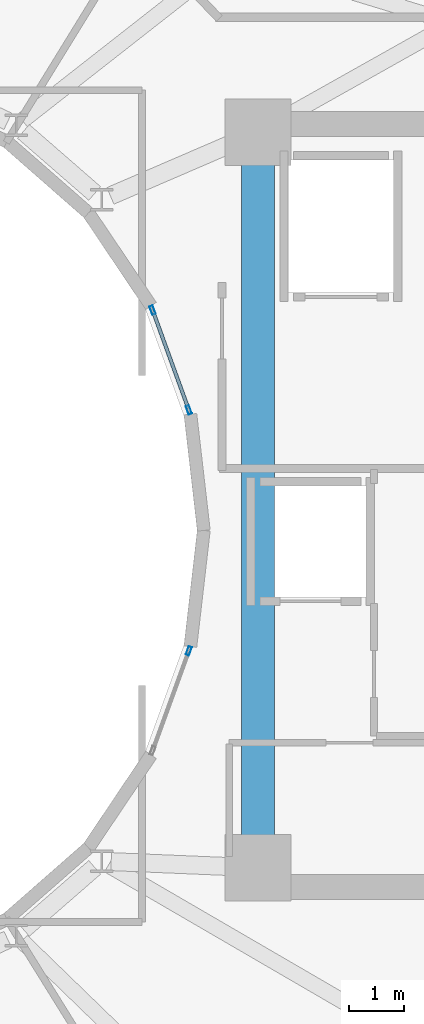
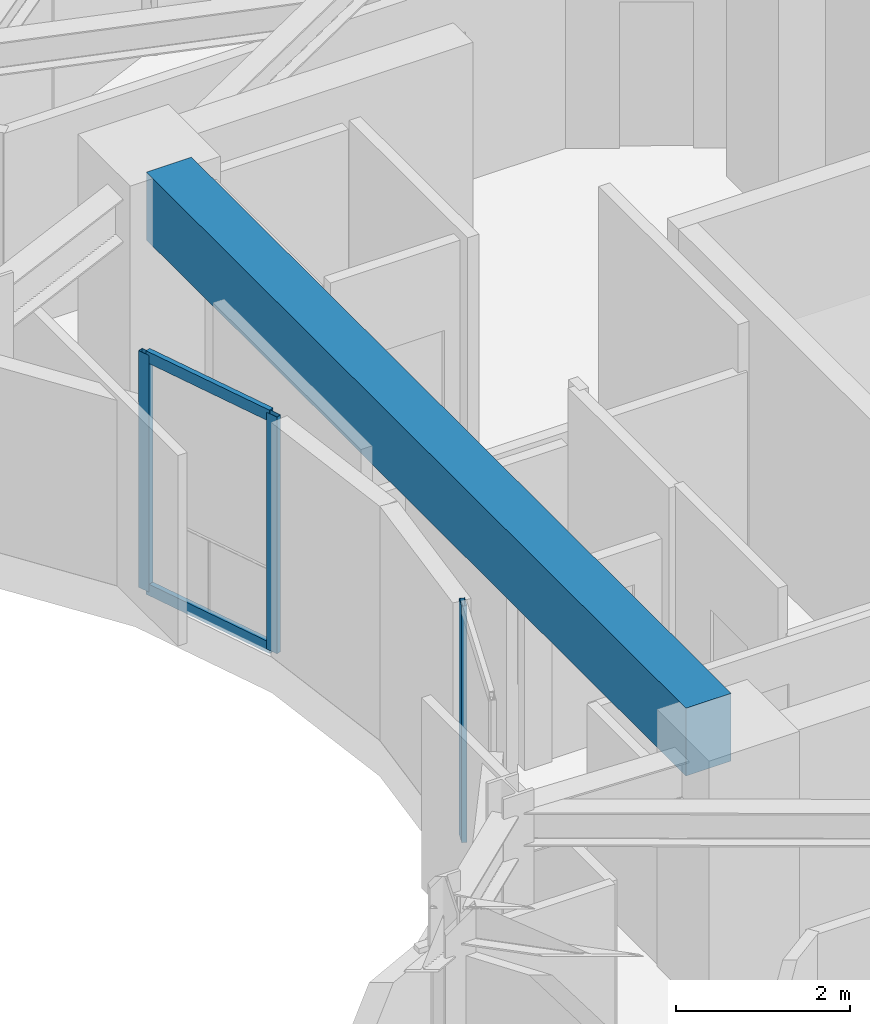
# One storey, part 9 of 25: 5 members, 1 beam, 2 elements without a shape of their own.
"""IFC4 building model written with IfcOpenShell, lengths in metres."""

import ifcopenshell
import ifcopenshell.guid

model = None  # the IFC model being written
_history = None  # IfcOwnerHistory: only IFC2X3 demands one
_inside = {}  # id of a spatial element -> (the spatial element, [elements in it])
_under = {}  # id of a project, library or spatial element -> (it, [spatial elements below it])
_declared = {}  # id of a project -> (the project, [libraries it declares])
_typed = {}  # id of a type object -> (the type object, [elements of that type])
_made_of = {}  # id of a material, layer set ... -> (it, [elements and type objects made of it])


def new_model(schema):
    """Start an empty IFC model of exactly this schema.

    Asked for "IFC4X3", IfcOpenShell would pick the latest addendum, in which some entities
    have other attributes; the version numbers below select the first issue.
    IFC2X3 requires an IfcOwnerHistory on every rooted entity: one is made here for all.
    """
    global model, _history
    if schema == "IFC4X3":
        model = ifcopenshell.file(schema_version=(4, 3, 0, 0))
    else:
        model = ifcopenshell.file(schema=schema)
    _inside.clear()
    _under.clear()
    _declared.clear()
    _typed.clear()
    _made_of.clear()
    _history = None
    if model.schema == "IFC2X3":
        org = make("IfcOrganization", Name="unknown")
        user = make(
            "IfcPersonAndOrganization",
            ThePerson=make("IfcPerson", FamilyName="unknown"),
            TheOrganization=org,
        )
        app = make(
            "IfcApplication",
            ApplicationDeveloper=org,
            Version="unknown",
            ApplicationFullName="unknown",
            ApplicationIdentifier="unknown",
        )
        _history = make(
            "IfcOwnerHistory",
            OwningUser=user,
            OwningApplication=app,
            ChangeAction="ADDED",
            CreationDate=0,
        )
    return model


def make(cls, **values):
    """One entity of the class cls with the attributes given. An attribute that is None is left unset."""
    return model.create_entity(
        cls, **{name: value for name, value in values.items() if value is not None}
    )


def rooted(cls, **values):
    """An entity with a GlobalId (a new one), such as an element, a storey or a relation."""
    return make(cls, GlobalId=ifcopenshell.guid.new(), OwnerHistory=_history, **values)


def si_unit(unit_type, name, prefix=None):
    """IfcSIUnit, for example si_unit("LENGTHUNIT", "METRE", prefix="MILLI")."""
    return make("IfcSIUnit", UnitType=unit_type, Prefix=prefix, Name=name)


def assignment(units):
    """IfcUnitAssignment: the units of a project."""
    return None if units is None else make("IfcUnitAssignment", Units=units)


def point(xyz):
    """IfcCartesianPoint."""
    return None if xyz is None else make("IfcCartesianPoint", Coordinates=xyz)


def direction(xyz):
    """IfcDirection."""
    return None if xyz is None else make("IfcDirection", DirectionRatios=xyz)


def frame(location, z_axis=None, x_axis=None):
    """IfcAxis2Placement3D, a coordinate frame: its origin and axes. An axis left out is left unset."""
    return make(
        "IfcAxis2Placement3D",
        Location=point(location),
        Axis=direction(z_axis),
        RefDirection=direction(x_axis),
    )


def frame_2d(location, x_axis=None):
    """IfcAxis2Placement2D, a coordinate frame in the plane: its origin and x axis."""
    return make(
        "IfcAxis2Placement2D", Location=point(location), RefDirection=direction(x_axis)
    )


def origin():
    """The frame at (0, 0, 0) with its axes left unset."""
    return frame((0.0, 0.0, 0.0))


def origin_2d():
    """The frame at (0, 0) in the plane with its x axis left unset."""
    return frame_2d((0.0, 0.0))


def place(relative_to, where):
    """IfcLocalPlacement: puts the frame where relative to a parent placement (None: the world)."""
    return make(
        "IfcLocalPlacement", PlacementRelTo=relative_to, RelativePlacement=where
    )


def context(
    kind, dimensions, precision=None, world=None, true_north=None, identifier=None
):
    """IfcGeometricRepresentationContext, for example the 3D "Model" context."""
    return make(
        "IfcGeometricRepresentationContext",
        ContextIdentifier=identifier,
        ContextType=kind,
        CoordinateSpaceDimension=dimensions,
        Precision=precision,
        WorldCoordinateSystem=world,
        TrueNorth=true_north,
    )


def subcontext(parent, identifier, kind, view, scale=None):
    """IfcGeometricRepresentationSubContext, for example "Body" below "Model"."""
    return make(
        "IfcGeometricRepresentationSubContext",
        ContextIdentifier=identifier,
        ContextType=kind,
        ParentContext=parent,
        TargetScale=scale,
        TargetView=view,
    )


def project(units=None, contexts=None):
    """IfcProject with its units and contexts."""
    return rooted(
        "IfcProject",
        Name="project",
        RepresentationContexts=contexts,
        UnitsInContext=assignment(units),
    )


def spatial(cls, under=None, at=None, **own):
    """A site, building, storey or space (cls), placed at a placement, below another one or the project."""
    s = rooted(cls, ObjectPlacement=at, **own)
    if under is not None:
        _under.setdefault(under.id(), (under, []))[1].append(s)
    return s


def profile(cls, at=None, kind="AREA", **sizes):
    """A parametric profile (cls). Its sizes go by their IFC names, for example OverallWidth=200.0."""
    return make(cls, ProfileType=kind, Position=at, **sizes)


def rectangle(**sizes):
    """IfcRectangleProfileDef."""
    return profile("IfcRectangleProfileDef", **sizes)


def hollow_rectangle(**sizes):
    """IfcRectangleHollowProfileDef."""
    return profile("IfcRectangleHollowProfileDef", **sizes)


def extrude(swept, where, along, depth):
    """IfcExtrudedAreaSolid: the profile swept, set in the frame where, extruded along a direction by depth."""
    return make(
        "IfcExtrudedAreaSolid",
        SweptArea=swept,
        Position=where,
        ExtrudedDirection=direction(along),
        Depth=depth,
    )


def shape(context_of_items, identifier, shape_type, items):
    """IfcShapeRepresentation: the items that make up one representation, for example the "Body"."""
    return make(
        "IfcShapeRepresentation",
        ContextOfItems=context_of_items,
        RepresentationIdentifier=identifier,
        RepresentationType=shape_type,
        Items=items,
    )


def material(Name=None, Category=None):
    """IfcMaterial."""
    return make("IfcMaterial", Name=Name, Category=Category)


def layer(
    of_material, thickness, ventilated=None, Name=None, Category=None, Priority=None
):
    """IfcMaterialLayer: one layer of a wall or slab, of a material (None: an air gap)."""
    return make(
        "IfcMaterialLayer",
        Material=of_material,
        LayerThickness=thickness,
        IsVentilated=ventilated,
        Name=Name,
        Category=Category,
        Priority=Priority,
    )


def layer_set(layers, Name=None):
    """IfcMaterialLayerSet."""
    return make("IfcMaterialLayerSet", MaterialLayers=layers, LayerSetName=Name)


def material_profile(
    of_material, cross_section, Name=None, Category=None, Priority=None
):
    """IfcMaterialProfile: a cross section and its material."""
    return make(
        "IfcMaterialProfile",
        Name=Name,
        Material=of_material,
        Profile=cross_section,
        Priority=Priority,
        Category=Category,
    )


def profile_set(profiles, Name=None, composite=None):
    """IfcMaterialProfileSet."""
    return make(
        "IfcMaterialProfileSet",
        Name=Name,
        MaterialProfiles=profiles,
        CompositeProfile=composite,
    )


def made_of(thing, what):
    """Note that an element or type object is made of a material, layer set ...; save() writes the relation."""
    if what is not None:
        _made_of.setdefault(what.id(), (what, []))[1].append(thing)
    return thing


def type_object(cls, material=None, **own):
    """A type object (cls), such as IfcWallType, which elements share."""
    return made_of(rooted(cls, **own), material)


def element(
    cls,
    number,
    at=None,
    inside=None,
    cuts=None,
    type_object=None,
    material=None,
    context=None,
    identifier="Body",
    shape_type=None,
    held_by="IfcProductDefinitionShape",
    body=None,
    shapes=None,
    **own,
):
    """One element of the class cls, such as IfcWall. Its Tag is "e" and its number.

    at: its placement. inside: the storey or other place that contains it. cuts: it is an
    opening in that element (IfcRelVoidsElement). A single representation is given by context,
    identifier, shape_type and body (its items); several are given by shapes. held_by: the class
    of the entity that holds the representations. save() writes the other relations.
    """
    e = rooted(cls, Tag="e%d" % number, ObjectPlacement=at, **own)
    if body is not None:
        shapes = [shape(context, identifier, shape_type, body)]
    if shapes is not None:
        e.Representation = make(held_by, Representations=shapes)
    if inside is not None:
        _inside.setdefault(inside.id(), (inside, []))[1].append(e)
    if cuts is not None:
        rooted(
            "IfcRelVoidsElement", RelatingBuildingElement=cuts, RelatedOpeningElement=e
        )
    if type_object is not None:
        _typed.setdefault(type_object.id(), (type_object, []))[1].append(e)
    return made_of(e, material)


def aggregate(whole, parts):
    """IfcRelAggregates: a whole, such as a stair, and the parts it consists of."""
    return rooted("IfcRelAggregates", RelatingObject=whole, RelatedObjects=parts)


def save(model, path):
    """Write the relations noted so far, then the file.

    IfcRelAggregates (storeys below a building ...), IfcRelContainedInSpatialStructure (elements
    in a storey), IfcRelDefinesByType, IfcRelAssociatesMaterial and IfcRelDeclares: one each for
    every whole, place, type object, material and project.
    """
    for whole, parts in _under.values():
        aggregate(whole, parts)
    for where, things in _inside.values():
        rooted(
            "IfcRelContainedInSpatialStructure",
            RelatedElements=things,
            RelatingStructure=where,
        )
    for kind, things in _typed.values():
        rooted("IfcRelDefinesByType", RelatedObjects=things, RelatingType=kind)
    for what, things in _made_of.values():
        rooted("IfcRelAssociatesMaterial", RelatedObjects=things, RelatingMaterial=what)
    for by, libraries in _declared.values():
        rooted("IfcRelDeclares", RelatingContext=by, RelatedDefinitions=libraries)
    model.write(path)


model = new_model("IFC4")

# Units and contexts
model_context = context("Model", 3, precision=1e-05, world=origin(), true_north=direction((0.0, 1.0)))
body_context = subcontext(model_context, "Body", "Model", "MODEL_VIEW")
ifc_project = project(units=[si_unit("LENGTHUNIT", "METRE"), si_unit("AREAUNIT", "SQUARE_METRE"), si_unit("VOLUMEUNIT", "CUBIC_METRE"), si_unit("PLANEANGLEUNIT", "RADIAN"), si_unit("MASSUNIT", "GRAM", prefix="KILO")], contexts=[model_context])

# Site, building, storey
site_placement = place(None, origin())
site = spatial("IfcSite", under=ifc_project, at=site_placement, CompositionType="ELEMENT")
building_placement = place(site_placement, origin())
building = spatial("IfcBuilding", under=site, at=building_placement, Name="Solvane Sanctuary Tower", CompositionType="ELEMENT")
storey_placement = place(building_placement, frame((0.0, 0.0, 238.800048828125)))
storey = spatial("IfcBuildingStorey", under=building, at=storey_placement, Name="L73", CompositionType="ELEMENT", Elevation=238.800048828125)

# Beam
ifc_material_1 = material(Name="Concrete C70/85", Category="concrete")
ifc_material_profile_1 = material_profile(ifc_material_1, rectangle(XDim=0.60009765625, YDim=0.949951171875, at=origin_2d()), Name="RC600X950")
ifc_profile_set_1 = profile_set([ifc_material_profile_1], Name="Concrete C70/85")
beam_type = type_object("IfcBeamType", Name="Beam B-COUPLE RC600X950", PredefinedType="LINTEL", material=ifc_profile_set_1)
beam_placement = place(storey_placement, frame((40.10009765625, 17.35009765625, 3.125), z_axis=(0.0, 1.0, 0.0), x_axis=(-1.0, 0.0, 0.0)))
element("IfcBeam", 1, at=beam_placement, inside=storey, type_object=beam_type, Name="L73 East Core Coupling Lintel", PredefinedType="LINTEL", context=body_context, shape_type="SweptSolid", body=[
    extrude(rectangle(XDim=0.60009765625, YDim=0.949951171875, at=origin_2d()), origin(), (0.0, 0.0, 1.0), 12.39990234375),
])

# Curtain wall, members
ifc_material_2 = material(Name="Anodised Aluminium 6063-T6", Category="aluminium")
ifc_layer = layer(ifc_material_2, 0.199951171875, Name="Anodised Aluminium 6063-T6")
ifc_layer_set = layer_set([ifc_layer], Name="Anodised Aluminium 6063-T6")
curtain_wall_type = type_object("IfcCurtainWallType", Name="Curtain Wall CW-WELL", PredefinedType="NOTDEFINED", material=ifc_layer_set)
curtain_wall_1_placement = place(storey_placement, origin())
curtain_wall_1 = element("IfcCurtainWall", 2, at=curtain_wall_1_placement, inside=storey, type_object=curtain_wall_type, Name="L73 Light-Well Glazed Curtain Wall 01", PredefinedType="NOTDEFINED")
ifc_material_profile_2 = material_profile(ifc_material_2, hollow_rectangle(XDim=0.06494140625, YDim=0.159912109375, WallThickness=0.00341796875, at=origin_2d()), Name="ALU160X65X3.5")
ifc_profile_set_2 = profile_set([ifc_material_profile_2], Name="Anodised Aluminium 6063-T6")
member_type_1 = type_object("IfcMemberType", Name="Member M-CW-MUL-2 ALU160X65X3.5", PredefinedType="MULLION", material=ifc_profile_set_2)
member_1_placement = place(storey_placement, frame((38.84912109375, 25.17919921875, 0.0), z_axis=(0.0, 0.0, 1.0), x_axis=(-0.939933181429, -0.341358483781, 0.0)))
member_1 = element("IfcMember", 3, at=member_1_placement, type_object=member_type_1, Name="CW-WELL mullion 1", PredefinedType="MULLION", context=body_context, shape_type="SweptSolid", body=[
    extrude(hollow_rectangle(XDim=0.06494140625, YDim=0.159912109375, WallThickness=0.00341796875, at=origin_2d()), origin(), (0.0, 0.0, 1.0), 3.320068359375),
])
member_2_placement = place(storey_placement, frame((38.1943359375, 26.982421875, 0.0), z_axis=(0.0, 0.0, 1.0), x_axis=(-0.939933181429, -0.341358483781, 0.0)))
member_2 = element("IfcMember", 4, at=member_2_placement, type_object=member_type_1, Name="CW-WELL mullion 2", PredefinedType="MULLION", context=body_context, shape_type="SweptSolid", body=[
    extrude(hollow_rectangle(XDim=0.06494140625, YDim=0.159912109375, WallThickness=0.00341796875, at=origin_2d()), origin(), (0.0, 0.0, 1.0), 3.320068359375),
])

# Curtain wall, member
curtain_wall_2_placement = place(storey_placement, origin())
curtain_wall_2 = element("IfcCurtainWall", 5, at=curtain_wall_2_placement, inside=storey, type_object=curtain_wall_type, Name="L73 Light-Well Glazed Curtain Wall 22", PredefinedType="NOTDEFINED")
member_3_placement = place(storey_placement, frame((38.84912109375, 20.82080078125, 0.0), z_axis=(0.0, 0.0, 1.0), x_axis=(-0.939933181429, 0.341358483781, 0.0)))
member_3 = element("IfcMember", 6, at=member_3_placement, type_object=member_type_1, Name="CW-WELL mullion 2", PredefinedType="MULLION", context=body_context, shape_type="SweptSolid", body=[
    extrude(hollow_rectangle(XDim=0.06494140625, YDim=0.159912109375, WallThickness=0.00341796875, at=origin_2d()), origin(), (0.0, 0.0, 1.0), 3.320068359375),
])
aggregate(curtain_wall_2, [member_3])

# Member
ifc_material_profile_3 = material_profile(ifc_material_2, hollow_rectangle(XDim=0.06494140625, YDim=0.159912109375, WallThickness=0.00341796875, at=origin_2d()), Name="ALU160X65X3.5")
ifc_profile_set_3 = profile_set([ifc_material_profile_3], Name="Anodised Aluminium 6063-T6")
member_type_2 = type_object("IfcMemberType", Name="Member M-CW-TRN-1 ALU160X65X3.5", PredefinedType="USERDEFINED", material=ifc_profile_set_3)
member_4_placement = place(storey_placement, frame((38.838134765625, 25.209716796875, 0.032470703125), z_axis=(-0.341404620561, 0.939916424508, 0.0), x_axis=(-0.939916424508, -0.341404620561, 0.0)))
member_4 = element("IfcMember", 7, at=member_4_placement, type_object=member_type_2, Name="CW-WELL transom 1.1", ObjectType="TRANSOM", PredefinedType="USERDEFINED", context=body_context, shape_type="SweptSolid", body=[
    extrude(hollow_rectangle(XDim=0.06494140625, YDim=0.159912109375, WallThickness=0.00341796875, at=origin_2d()), origin(), (0.0, 0.0, 1.0), 1.853515625),
])

member_5_placement = place(storey_placement, frame((38.838134765625, 25.209716796875, 3.287353515625), z_axis=(-0.341404620561, 0.939916424508, 0.0), x_axis=(-0.939916424508, -0.341404620561, 0.0)))
member_5 = element("IfcMember", 8, at=member_5_placement, type_object=member_type_2, Name="CW-WELL transom 1.2", ObjectType="TRANSOM", PredefinedType="USERDEFINED", context=body_context, shape_type="SweptSolid", body=[
    extrude(hollow_rectangle(XDim=0.06494140625, YDim=0.159912109375, WallThickness=0.00341796875, at=origin_2d()), origin(), (0.0, 0.0, 1.0), 1.853515625),
])

aggregate(curtain_wall_1, [member_1, member_2, member_4, member_5])

save(model, "model.ifc")
